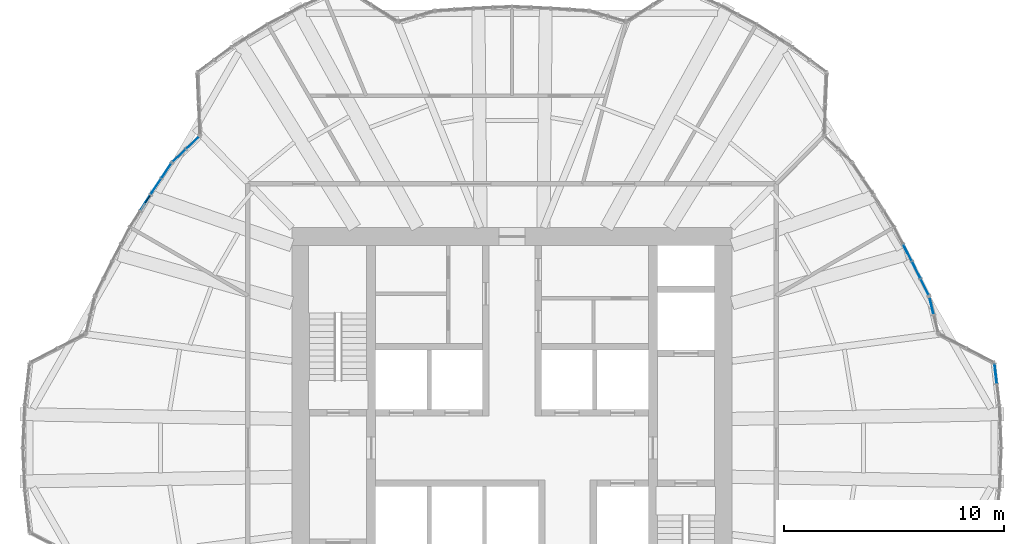
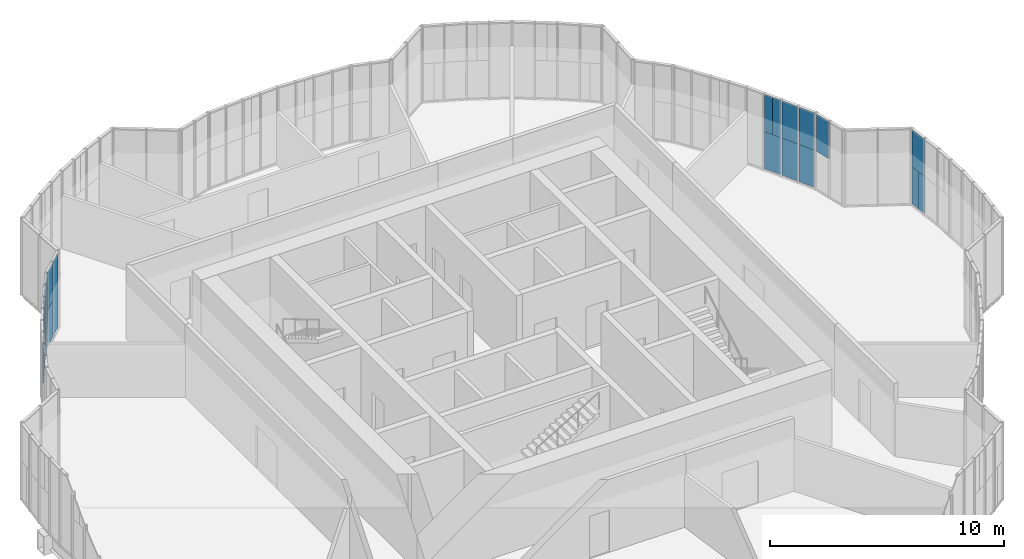
# One storey, part 18 of 24: 20 plates, 7 elements without a shape of their own.
"""IFC4 building model written with IfcOpenShell, lengths in metres."""

from ifc_helpers import new_model, si_unit, direction, frame, origin, origin_2d, place, context, subcontext, project, spatial, rectangle, extrude, material, layer, layer_set, type_object, element, aggregate, save


model = new_model("IFC4")

# Units and contexts
model_context = context("Model", 3, precision=1e-05, world=origin(), true_north=direction((0.0, 1.0)))
body_context = subcontext(model_context, "Body", "Model", "MODEL_VIEW")
ifc_project = project(units=[si_unit("LENGTHUNIT", "METRE"), si_unit("AREAUNIT", "SQUARE_METRE"), si_unit("VOLUMEUNIT", "CUBIC_METRE"), si_unit("PLANEANGLEUNIT", "RADIAN"), si_unit("MASSUNIT", "GRAM", prefix="KILO")], contexts=[model_context])

# Site, building, storey
site_placement = place(None, origin())
site = spatial("IfcSite", under=ifc_project, at=site_placement, CompositionType="ELEMENT")
building_placement = place(site_placement, origin())
building = spatial("IfcBuilding", under=site, at=building_placement, Name="Golbaran Civic Tower", CompositionType="ELEMENT")
storey_placement = place(building_placement, frame((0.0, 0.0, 25.0)))
storey = spatial("IfcBuildingStorey", under=building, at=storey_placement, Name="L05", CompositionType="ELEMENT", Elevation=25.0)

# Curtain wall, plate
ifc_material_1 = material(Name="Aluminium and glass", Category="aluminium")
curtain_wall_type = type_object("IfcCurtainWallType", Name="INNER SKIN CURTAIN WALL", PredefinedType="NOTDEFINED", material=ifc_material_1)
curtain_wall_1_placement = place(storey_placement, origin())
curtain_wall_1 = element("IfcCurtainWall", 1, at=curtain_wall_1_placement, inside=storey, type_object=curtain_wall_type, Name="Inner skin L05 facet 2 CW1", ObjectType="INNER SKIN", PredefinedType="USERDEFINED")
ifc_material_2 = material(Name="Clear insulating glass", Category="glass")
ifc_layer_1 = layer(ifc_material_2, 0.031982421875, Name="Clear insulating glass")
ifc_layer_set_1 = layer_set([ifc_layer_1], Name="Clear insulating glass")
plate_type_1 = type_object("IfcPlateType", Name="INNER SKIN CURTAIN WALL GLAZED PANEL", PredefinedType="CURTAIN_PANEL", material=ifc_layer_set_1)
plate_1_placement = place(storey_placement, frame((21.948486328125, 3.565185546875, 0.06494140625), z_axis=(0.0, 0.0, 1.0), x_axis=(-0.114683042492, 0.993402133964, 0.0)))
plate_1 = element("IfcPlate", 2, at=plate_1_placement, type_object=plate_type_1, Name="CW1 panel 2.1 part 2", PredefinedType="CURTAIN_PANEL", context=body_context, shape_type="SweptSolid", body=[
    extrude(rectangle(XDim=0.4716796875, YDim=0.031982421875, at=origin_2d()), origin(), (0.0, 0.0, 1.0), 1.93505859375),
])

curtain_wall_2_placement = place(storey_placement, origin())
curtain_wall_2 = element("IfcCurtainWall", 3, at=curtain_wall_2_placement, inside=storey, type_object=curtain_wall_type, Name="Inner skin L05 facet 6 CW1", ObjectType="INNER SKIN", PredefinedType="USERDEFINED")
plate_2_placement = place(storey_placement, frame((17.874267578125, 9.037841796875, 2.0), z_axis=(0.0, 0.0, 1.0), x_axis=(-0.461748613189, 0.887010833202, 0.0)))
plate_2 = element("IfcPlate", 4, at=plate_2_placement, type_object=plate_type_1, Name="CW1 panel 1.1 part 3", PredefinedType="CURTAIN_PANEL", context=body_context, shape_type="SweptSolid", body=[
    extrude(rectangle(XDim=0.408447265625, YDim=0.031982421875, at=origin_2d()), origin(), (0.0, 0.0, 1.0), 1.93505859375),
])

# Curtain wall, plates
curtain_wall_3_placement = place(storey_placement, origin())
curtain_wall_3 = element("IfcCurtainWall", 5, at=curtain_wall_3_placement, inside=storey, type_object=curtain_wall_type, Name="Inner skin L05 facet 28 CW1", ObjectType="INNER SKIN", PredefinedType="USERDEFINED")
plate_3_placement = place(storey_placement, frame((-14.50537109375, 13.86083984375, 0.06494140625), z_axis=(0.0, 0.0, 1.0), x_axis=(-0.723900401463, -0.689904492493, 0.0)))
plate_3 = element("IfcPlate", 6, at=plate_3_placement, type_object=plate_type_1, Name="CW1 panel 1.1", PredefinedType="CURTAIN_PANEL", context=body_context, shape_type="SweptSolid", body=[
    extrude(rectangle(XDim=0.781494140625, YDim=0.031982421875, at=origin_2d()), origin(), (0.0, 0.0, 1.0), 3.8701171875),
])
plate_4_placement = place(storey_placement, frame((-15.1181640625, 13.27685546875, 0.06494140625), z_axis=(0.0, 0.0, 1.0), x_axis=(-0.723900401463, -0.689904492493, 0.0)))
plate_4 = element("IfcPlate", 7, at=plate_4_placement, type_object=plate_type_1, Name="CW1 panel 2.1 part 1", PredefinedType="CURTAIN_PANEL", context=body_context, shape_type="SweptSolid", body=[
    extrude(rectangle(XDim=0.781494140625, YDim=0.031982421875, at=origin_2d()), origin(), (0.0, 0.0, 1.0), 1.93505859375),
])

# Plate
ifc_material_3 = material(Name="Aluminium faced opaque infill panel", Category="aluminium")
ifc_layer_2 = layer(ifc_material_3, 0.031982421875, Name="Aluminium faced opaque infill panel")
ifc_layer_set_2 = layer_set([ifc_layer_2], Name="Aluminium faced opaque infill panel")
plate_type_2 = type_object("IfcPlateType", Name="INNER SKIN CURTAIN WALL OPAQUE INFILL PANEL", PredefinedType="CURTAIN_PANEL", material=ifc_layer_set_2)
plate_5_placement = place(storey_placement, frame((21.99853515625, 3.1318359375, 0.06494140625), z_axis=(0.0, 0.0, 1.0), x_axis=(-0.114683042492, 0.993402133964, 0.0)))
plate_5 = element("IfcPlate", 8, at=plate_5_placement, type_object=plate_type_2, Name="CW1 infill panel 2.1 part 1", PredefinedType="CURTAIN_PANEL", context=body_context, shape_type="SweptSolid", body=[
    extrude(rectangle(XDim=0.40087890625, YDim=0.031982421875, at=origin_2d()), origin(), (0.0, 0.0, 1.0), 1.93505859375),
])

plate_6_placement = place(storey_placement, frame((21.971435546875, 3.365966796875, 2.0), z_axis=(0.0, 0.0, 1.0), x_axis=(-0.114683042492, 0.993402133964, 0.0)))
plate_6 = element("IfcPlate", 9, at=plate_6_placement, type_object=plate_type_2, Name="CW1 infill panel 2.1 part 3", PredefinedType="CURTAIN_PANEL", context=body_context, shape_type="SweptSolid", body=[
    extrude(rectangle(XDim=0.87255859375, YDim=0.031982421875, at=origin_2d()), origin(), (0.0, 0.0, 1.0), 1.93505859375),
])

aggregate(curtain_wall_1, [plate_5, plate_1, plate_6])

# Curtain wall, plate
curtain_wall_4_placement = place(storey_placement, origin())
curtain_wall_4 = element("IfcCurtainWall", 10, at=curtain_wall_4_placement, inside=storey, type_object=curtain_wall_type, Name="Inner skin L05 facet 4 CW1", ObjectType="INNER SKIN", PredefinedType="USERDEFINED")
plate_7_placement = place(storey_placement, frame((19.05712890625, 6.454345703125, 2.0), z_axis=(0.0, 0.0, 1.0), x_axis=(-0.235524616461, 0.9718683836, 0.0)))
plate_7 = element("IfcPlate", 11, at=plate_7_placement, type_object=plate_type_2, Name="CW1 infill panel 2.1 part 2", PredefinedType="CURTAIN_PANEL", context=body_context, shape_type="SweptSolid", body=[
    extrude(rectangle(XDim=0.781494140625, YDim=0.031982421875, at=origin_2d()), origin(), (0.0, 0.0, 1.0), 1.93505859375),
])
aggregate(curtain_wall_4, [plate_7])

# Curtain wall, plates
curtain_wall_5_placement = place(storey_placement, origin())
curtain_wall_5 = element("IfcCurtainWall", 12, at=curtain_wall_5_placement, inside=storey, type_object=curtain_wall_type, Name="Inner skin L05 facet 5 CW1", ObjectType="INNER SKIN", PredefinedType="USERDEFINED")
plate_8_placement = place(storey_placement, frame((18.747314453125, 7.305419921875, 0.06494140625), z_axis=(0.0, 0.0, 1.0), x_axis=(-0.444282631597, 0.895886679922, 0.0)))
plate_8 = element("IfcPlate", 13, at=plate_8_placement, type_object=plate_type_2, Name="CW1 infill panel 1.1 part 1", PredefinedType="CURTAIN_PANEL", context=body_context, shape_type="SweptSolid", body=[
    extrude(rectangle(XDim=0.781494140625, YDim=0.031982421875, at=origin_2d()), origin(), (0.0, 0.0, 1.0), 1.93505859375),
])
plate_9_placement = place(storey_placement, frame((18.747314453125, 7.305419921875, 2.0), z_axis=(0.0, 0.0, 1.0), x_axis=(-0.444282631597, 0.895886679922, 0.0)))
plate_9 = element("IfcPlate", 14, at=plate_9_placement, type_object=plate_type_2, Name="CW1 infill panel 1.1 part 2", PredefinedType="CURTAIN_PANEL", context=body_context, shape_type="SweptSolid", body=[
    extrude(rectangle(XDim=0.781494140625, YDim=0.031982421875, at=origin_2d()), origin(), (0.0, 0.0, 1.0), 1.93505859375),
])
plate_10_placement = place(storey_placement, frame((18.364013671875, 8.078369140625, 0.06494140625), z_axis=(0.0, 0.0, 1.0), x_axis=(-0.444282631597, 0.895886679922, 0.0)))
plate_10 = element("IfcPlate", 15, at=plate_10_placement, type_object=plate_type_2, Name="CW1 infill panel 2.1 part 1", PredefinedType="CURTAIN_PANEL", context=body_context, shape_type="SweptSolid", body=[
    extrude(rectangle(XDim=0.81396484375, YDim=0.031982421875, at=origin_2d()), origin(), (0.0, 0.0, 1.0), 1.93505859375),
])
plate_11_placement = place(storey_placement, frame((18.364013671875, 8.078369140625, 2.0), z_axis=(0.0, 0.0, 1.0), x_axis=(-0.444282631597, 0.895886679922, 0.0)))
plate_11 = element("IfcPlate", 16, at=plate_11_placement, type_object=plate_type_2, Name="CW1 infill panel 2.1 part 2", PredefinedType="CURTAIN_PANEL", context=body_context, shape_type="SweptSolid", body=[
    extrude(rectangle(XDim=0.81396484375, YDim=0.031982421875, at=origin_2d()), origin(), (0.0, 0.0, 1.0), 1.93505859375),
])
aggregate(curtain_wall_5, [plate_8, plate_9, plate_10, plate_11])

# Plate
plate_12_placement = place(storey_placement, frame((17.966796875, 8.860107421875, 0.06494140625), z_axis=(0.0, 0.0, 1.0), x_axis=(-0.461748613189, 0.887010833202, 0.0)))
plate_12 = element("IfcPlate", 17, at=plate_12_placement, type_object=plate_type_2, Name="CW1 infill panel 1.1 part 1", PredefinedType="CURTAIN_PANEL", context=body_context, shape_type="SweptSolid", body=[
    extrude(rectangle(XDim=0.809326171875, YDim=0.031982421875, at=origin_2d()), origin(), (0.0, 0.0, 1.0), 1.93505859375),
])

plate_13_placement = place(storey_placement, frame((18.061279296875, 8.678955078125, 2.0), z_axis=(0.0, 0.0, 1.0), x_axis=(-0.461748613189, 0.887010833202, 0.0)))
plate_13 = element("IfcPlate", 18, at=plate_13_placement, type_object=plate_type_2, Name="CW1 infill panel 1.1 part 2", PredefinedType="CURTAIN_PANEL", context=body_context, shape_type="SweptSolid", body=[
    extrude(rectangle(XDim=0.40087890625, YDim=0.031982421875, at=origin_2d()), origin(), (0.0, 0.0, 1.0), 1.93505859375),
])

aggregate(curtain_wall_2, [plate_12, plate_13, plate_2])

plate_14_placement = place(storey_placement, frame((-15.1181640625, 13.27685546875, 2.0), z_axis=(0.0, 0.0, 1.0), x_axis=(-0.723900401463, -0.689904492493, 0.0)))
plate_14 = element("IfcPlate", 19, at=plate_14_placement, type_object=plate_type_2, Name="CW1 infill panel 2.1 part 2", PredefinedType="CURTAIN_PANEL", context=body_context, shape_type="SweptSolid", body=[
    extrude(rectangle(XDim=0.781494140625, YDim=0.031982421875, at=origin_2d()), origin(), (0.0, 0.0, 1.0), 1.93505859375),
])

aggregate(curtain_wall_3, [plate_3, plate_4, plate_14])

# Curtain wall, plates
curtain_wall_6_placement = place(storey_placement, origin())
curtain_wall_6 = element("IfcCurtainWall", 20, at=curtain_wall_6_placement, inside=storey, type_object=curtain_wall_type, Name="Inner skin L05 facet 29 CW1", ObjectType="INNER SKIN", PredefinedType="USERDEFINED")
plate_15_placement = place(storey_placement, frame((-15.700439453125, 12.5830078125, 0.06494140625), z_axis=(0.0, 0.0, 1.0), x_axis=(-0.553719307998, -0.832703385336, 0.0)))
plate_15 = element("IfcPlate", 21, at=plate_15_placement, type_object=plate_type_2, Name="CW1 infill panel 1.1 part 1", PredefinedType="CURTAIN_PANEL", context=body_context, shape_type="SweptSolid", body=[
    extrude(rectangle(XDim=0.781494140625, YDim=0.031982421875, at=origin_2d()), origin(), (0.0, 0.0, 1.0), 1.93505859375),
])
plate_16_placement = place(storey_placement, frame((-15.700439453125, 12.5830078125, 2.0), z_axis=(0.0, 0.0, 1.0), x_axis=(-0.553719307998, -0.832703385336, 0.0)))
plate_16 = element("IfcPlate", 22, at=plate_16_placement, type_object=plate_type_2, Name="CW1 infill panel 1.1 part 2", PredefinedType="CURTAIN_PANEL", context=body_context, shape_type="SweptSolid", body=[
    extrude(rectangle(XDim=0.781494140625, YDim=0.031982421875, at=origin_2d()), origin(), (0.0, 0.0, 1.0), 1.93505859375),
])
plate_17_placement = place(storey_placement, frame((-16.17822265625, 11.864501953125, 0.06494140625), z_axis=(0.0, 0.0, 1.0), x_axis=(-0.553719307998, -0.832703385336, 0.0)))
plate_17 = element("IfcPlate", 23, at=plate_17_placement, type_object=plate_type_2, Name="CW1 infill panel 2.1 part 1", PredefinedType="CURTAIN_PANEL", context=body_context, shape_type="SweptSolid", body=[
    extrude(rectangle(XDim=0.81396484375, YDim=0.031982421875, at=origin_2d()), origin(), (0.0, 0.0, 1.0), 1.93505859375),
])
plate_18_placement = place(storey_placement, frame((-16.17822265625, 11.864501953125, 2.0), z_axis=(0.0, 0.0, 1.0), x_axis=(-0.553719307998, -0.832703385336, 0.0)))
plate_18 = element("IfcPlate", 24, at=plate_18_placement, type_object=plate_type_2, Name="CW1 infill panel 2.1 part 2", PredefinedType="CURTAIN_PANEL", context=body_context, shape_type="SweptSolid", body=[
    extrude(rectangle(XDim=0.81396484375, YDim=0.031982421875, at=origin_2d()), origin(), (0.0, 0.0, 1.0), 1.93505859375),
])
aggregate(curtain_wall_6, [plate_15, plate_16, plate_17, plate_18])

curtain_wall_7_placement = place(storey_placement, origin())
curtain_wall_7 = element("IfcCurtainWall", 25, at=curtain_wall_7_placement, inside=storey, type_object=curtain_wall_type, Name="Inner skin L05 facet 30 CW1", ObjectType="INNER SKIN", PredefinedType="USERDEFINED")
plate_19_placement = place(storey_placement, frame((-16.656494140625, 11.129638671875, 0.06494140625), z_axis=(0.0, 0.0, 1.0), x_axis=(-0.537299608303, -0.843391445841, 0.0)))
plate_19 = element("IfcPlate", 26, at=plate_19_placement, type_object=plate_type_2, Name="CW1 infill panel 1.1 part 1", PredefinedType="CURTAIN_PANEL", context=body_context, shape_type="SweptSolid", body=[
    extrude(rectangle(XDim=0.809326171875, YDim=0.031982421875, at=origin_2d()), origin(), (0.0, 0.0, 1.0), 1.93505859375),
])
plate_20_placement = place(storey_placement, frame((-16.546630859375, 11.302001953125, 2.0), z_axis=(0.0, 0.0, 1.0), x_axis=(-0.537299608303, -0.843391445841, 0.0)))
plate_20 = element("IfcPlate", 27, at=plate_20_placement, type_object=plate_type_2, Name="CW1 infill panel 1.1 part 2", PredefinedType="CURTAIN_PANEL", context=body_context, shape_type="SweptSolid", body=[
    extrude(rectangle(XDim=0.40087890625, YDim=0.031982421875, at=origin_2d()), origin(), (0.0, 0.0, 1.0), 1.93505859375),
])
aggregate(curtain_wall_7, [plate_19, plate_20])

save(model, "model.ifc")
